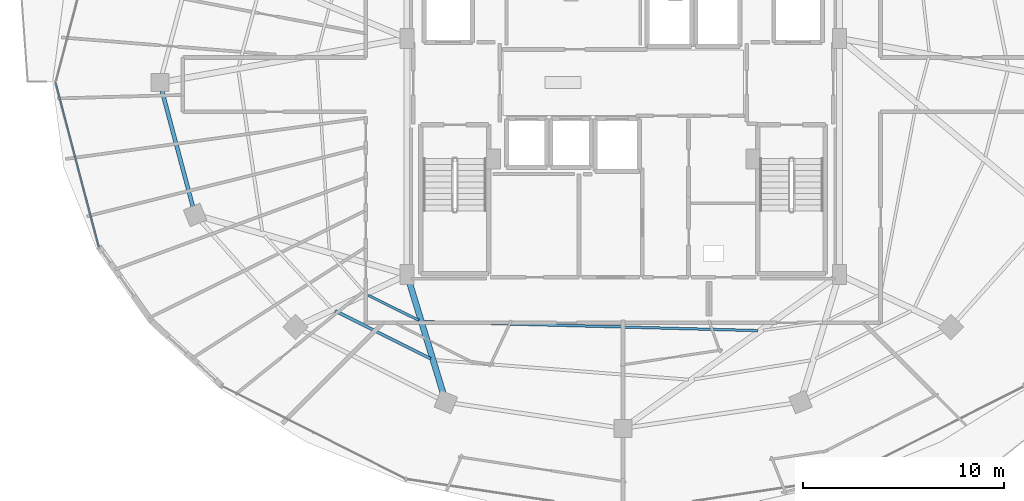
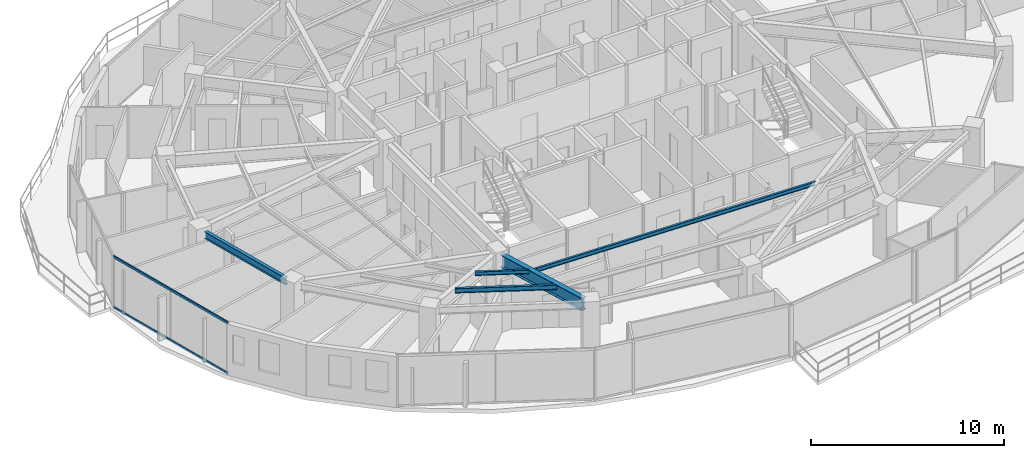
# One storey, part 6 of 31: 5 beams, 2 members, 1 element without a shape of its own.
"""IFC4 building model written with IfcOpenShell, lengths in metres."""

from ifc_helpers import new_model, si_unit, direction, frame, origin, origin_2d, place, context, subcontext, project, spatial, hollow_rectangle, i_section, extrude, material, material_profile, profile_set, type_object, element, aggregate, save


model = new_model("IFC4")

# Units and contexts
model_context = context("Model", 3, precision=1e-05, world=origin(), true_north=direction((0.0, 1.0)))
body_context = subcontext(model_context, "Body", "Model", "MODEL_VIEW")
ifc_project = project(units=[si_unit("LENGTHUNIT", "METRE"), si_unit("AREAUNIT", "SQUARE_METRE"), si_unit("VOLUMEUNIT", "CUBIC_METRE"), si_unit("PLANEANGLEUNIT", "RADIAN"), si_unit("MASSUNIT", "GRAM", prefix="KILO")], contexts=[model_context])

# Site, building, storey
site_placement = place(None, origin())
site = spatial("IfcSite", under=ifc_project, at=site_placement, CompositionType="ELEMENT")
building_placement = place(site_placement, origin())
building = spatial("IfcBuilding", under=site, at=building_placement, Name="Vorneva Point Tower", CompositionType="ELEMENT")
storey_placement = place(building_placement, frame((0.0, 0.0, 193.10009765625)))
storey = spatial("IfcBuildingStorey", under=building, at=storey_placement, Name="L52", CompositionType="ELEMENT", Elevation=193.10009765625)

# Beams
ifc_material_1 = material(Name="Steel S355", Category="steel")
ifc_material_profile_1 = material_profile(ifc_material_1, i_section(OverallWidth=0.300048828125, OverallDepth=0.7880859375, WebThickness=0.014404296875, FlangeThickness=0.02197265625, at=origin_2d()), Name="80Sh1")
ifc_profile_set_1 = profile_set([ifc_material_profile_1], Name="Steel S355")
beam_type_1 = type_object("IfcBeamType", Name="BM-GRD-80Sh1", PredefinedType="USERDEFINED", material=ifc_profile_set_1)
beam_1_placement = place(storey_placement, frame((29.051513671875, 10.5283203125, 2.845947265625), z_axis=(-0.291025429135, 0.956715317948, 0.0), x_axis=(-0.956715317948, -0.291025429135, 0.0)))
element("IfcBeam", 1, at=beam_1_placement, inside=storey, type_object=beam_type_1, Name="L52 Radial Primary Girder 12", ObjectType="GIRDER", PredefinedType="USERDEFINED", context=body_context, shape_type="SweptSolid", body=[
    extrude(i_section(OverallWidth=0.300048828125, OverallDepth=0.7880859375, WebThickness=0.014404296875, FlangeThickness=0.02197265625, at=origin_2d()), origin(), (0.0, 0.0, 1.0), 5.849609375),
])
ifc_material_profile_2 = material_profile(ifc_material_1, i_section(OverallWidth=0.1240234375, OverallDepth=0.248046875, WebThickness=0.0048828125, FlangeThickness=0.008056640625, at=origin_2d()), Name="25B1")
ifc_profile_set_2 = profile_set([ifc_material_profile_2], Name="Steel S355")
beam_type_2 = type_object("IfcBeamType", Name="BM-JST-25B1", PredefinedType="JOIST", material=ifc_profile_set_2)
beam_2_placement = place(storey_placement, frame((25.32177734375, 15.422607421875, 3.115966796875), z_axis=(0.895432586212, -0.445197128865, 0.0), x_axis=(0.445197128865, 0.895432586212, 0.0)))
element("IfcBeam", 2, at=beam_2_placement, inside=storey, type_object=beam_type_2, Name="L52 Secondary Floor Beam 2.11", PredefinedType="JOIST", context=body_context, shape_type="SweptSolid", body=[
    extrude(i_section(OverallWidth=0.1240234375, OverallDepth=0.248046875, WebThickness=0.0048828125, FlangeThickness=0.008056640625, at=origin_2d()), origin(), (0.0, 0.0, 1.0), 2.810546875),
])
beam_3_placement = place(storey_placement, frame((28.099853515625, 14.106201171875, 3.115966796875), z_axis=(0.999646768073, -0.026577040474, 0.0), x_axis=(0.026577040474, 0.999646768073, 0.0)))
element("IfcBeam", 3, at=beam_3_placement, inside=storey, type_object=beam_type_2, Name="L52 Secondary Floor Beam 2.12", PredefinedType="JOIST", context=body_context, shape_type="SweptSolid", body=[
    extrude(i_section(OverallWidth=0.1240234375, OverallDepth=0.248046875, WebThickness=0.0048828125, FlangeThickness=0.008056640625, at=origin_2d()), origin(), (0.0, 0.0, 1.0), 16.599365234375),
])
ifc_material_profile_3 = material_profile(ifc_material_1, i_section(OverallWidth=0.14892578125, OverallDepth=0.298095703125, WebThickness=0.005615234375, FlangeThickness=0.008056640625, at=origin_2d()), Name="30B1")
ifc_profile_set_3 = profile_set([ifc_material_profile_3], Name="Steel S355")
beam_type_3 = type_object("IfcBeamType", Name="BM-JST-30B1", PredefinedType="JOIST", material=ifc_profile_set_3)
beam_4_placement = place(storey_placement, frame((23.67431640625, 14.646728515625, 3.0908203125), z_axis=(0.893966574165, -0.448133645552, 0.0), x_axis=(0.448133645552, 0.893966574165, 0.0)))
element("IfcBeam", 4, at=beam_4_placement, inside=storey, type_object=beam_type_3, Name="L52 Secondary Floor Beam 1.11", PredefinedType="JOIST", context=body_context, shape_type="SweptSolid", body=[
    extrude(i_section(OverallWidth=0.14892578125, OverallDepth=0.298095703125, WebThickness=0.005615234375, FlangeThickness=0.008056640625, at=origin_2d()), origin(), (0.0, 0.0, 1.0), 5.3056640625),
])
ifc_material_profile_4 = material_profile(ifc_material_1, i_section(OverallWidth=0.198974609375, OverallDepth=0.446044921875, WebThickness=0.008056640625, FlangeThickness=0.011962890625, at=origin_2d()), Name="45B1")
ifc_profile_set_4 = profile_set([ifc_material_profile_4], Name="Steel S355")
beam_type_4 = type_object("IfcBeamType", Name="BM-SPN-45B1", PredefinedType="SPANDREL", material=ifc_profile_set_4)
beam_5_placement = place(storey_placement, frame((15.06201171875, 25.57958984375, 3.016845703125), z_axis=(0.257578258003, -0.966257440336, 0.0), x_axis=(0.966257440336, 0.257578258003, 0.0)))
element("IfcBeam", 5, at=beam_5_placement, inside=storey, type_object=beam_type_4, Name="L52 Perimeter Spandrel Ring Beam 09", PredefinedType="SPANDREL", context=body_context, shape_type="SweptSolid", body=[
    extrude(i_section(OverallWidth=0.198974609375, OverallDepth=0.446044921875, WebThickness=0.008056640625, FlangeThickness=0.011962890625, at=origin_2d()), origin(), (0.0, 0.0, 1.0), 5.94189453125),
])

# Curtain wall, members
ifc_material_2 = material(Name="Pale anodised aluminium", Category="aluminium")
curtain_wall_type = type_object("IfcCurtainWallType", Name="CW-RES-SYS", PredefinedType="NOTDEFINED", material=ifc_material_2)
curtain_wall_placement = place(storey_placement, origin())
curtain_wall = element("IfcCurtainWall", 6, at=curtain_wall_placement, inside=storey, type_object=curtain_wall_type, Name="L52 Unitised Curtain Wall CW-L52-R03", PredefinedType="NOTDEFINED")
ifc_material_profile_5 = material_profile(ifc_material_2, hollow_rectangle(XDim=0.074951171875, YDim=0.14990234375, WallThickness=0.00390625, at=origin_2d()), Name="AL-TRN 150x75x4")
ifc_profile_set_5 = profile_set([ifc_material_profile_5], Name="Pale anodised aluminium")
member_type = type_object("IfcMemberType", Name="CW-TRN-150", PredefinedType="USERDEFINED", material=ifc_profile_set_5)
member_1_placement = place(storey_placement, frame((9.77001953125, 26.0, 0.02001953125), z_axis=(0.254362431281, -0.967108966742, 0.0), x_axis=(0.967108966742, 0.254362431281, 0.0)))
member_1 = element("IfcMember", 7, at=member_1_placement, type_object=member_type, Name="CW-L52-R03 Transom 02.1", ObjectType="TRANSOM", PredefinedType="USERDEFINED", context=body_context, shape_type="SweptSolid", body=[
    extrude(hollow_rectangle(XDim=0.074951171875, YDim=0.14990234375, WallThickness=0.00390625, at=origin_2d()), origin(), (0.0, 0.0, 1.0), 8.4482421875),
])
member_2_placement = place(storey_placement, frame((9.77001953125, 26.0, 3.219970703125), z_axis=(0.254362431281, -0.967108966742, 0.0), x_axis=(0.967108966742, 0.254362431281, 0.0)))
member_2 = element("IfcMember", 8, at=member_2_placement, type_object=member_type, Name="CW-L52-R03 Transom 02.2", ObjectType="TRANSOM", PredefinedType="USERDEFINED", context=body_context, shape_type="SweptSolid", body=[
    extrude(hollow_rectangle(XDim=0.074951171875, YDim=0.14990234375, WallThickness=0.00390625, at=origin_2d()), origin(), (0.0, 0.0, 1.0), 8.4482421875),
])
aggregate(curtain_wall, [member_1, member_2])

save(model, "model.ifc")
